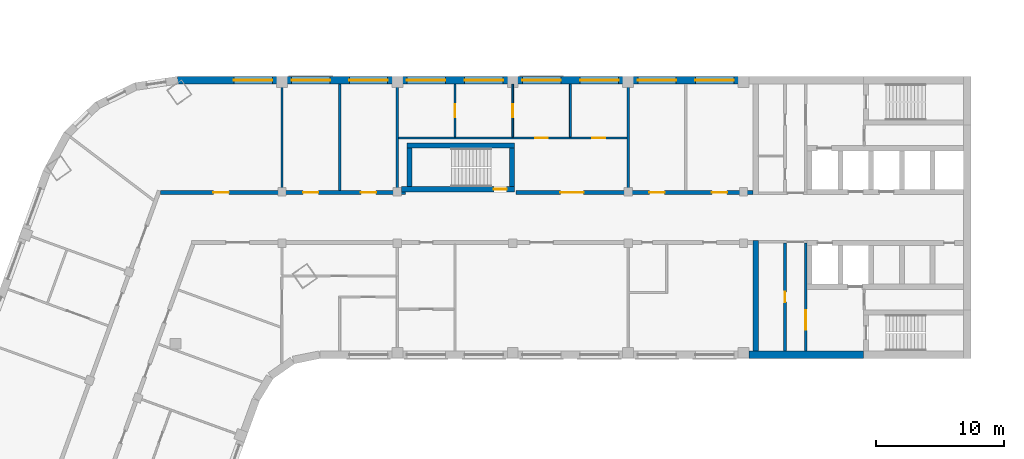
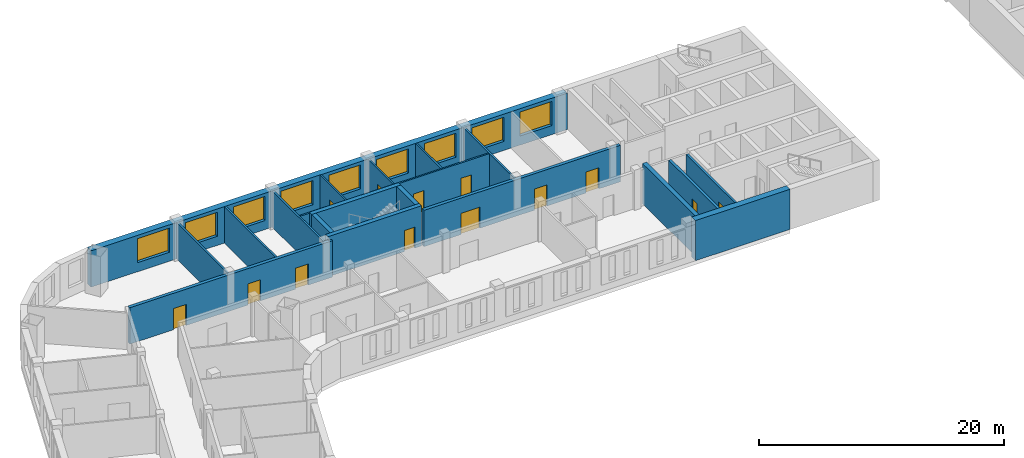
# One storey, part 5 of 10: 19 walls, 13 doors, 9 windows, 22 openings.
"""IFC4 building model written with IfcOpenShell, lengths in metres."""

from ifc_helpers import new_model, si_unit, direction, frame, frame_2d, origin, place, context, subcontext, project, spatial, rectangle, extrude, material, layer, layer_set, type_object, element, fill, save


model = new_model("IFC4")

# Units and contexts
model_context = context("Model", 3, precision=1e-05, world=origin(), true_north=direction((0.0, 1.0)))
body_context = subcontext(model_context, "Body", "Model", "MODEL_VIEW")
ifc_project = project(units=[si_unit("LENGTHUNIT", "METRE"), si_unit("AREAUNIT", "SQUARE_METRE"), si_unit("VOLUMEUNIT", "CUBIC_METRE"), si_unit("PLANEANGLEUNIT", "RADIAN"), si_unit("MASSUNIT", "GRAM", prefix="KILO")], contexts=[model_context])

# Site, building, storey
site_placement = place(None, origin())
site = spatial("IfcSite", under=ifc_project, at=site_placement, CompositionType="ELEMENT")
building_placement = place(site_placement, origin())
building = spatial("IfcBuilding", under=site, at=building_placement, Name="Skarvind Civic Tower", CompositionType="ELEMENT")
storey_placement = place(building_placement, frame((0.0, 0.0, 101.0)))
storey = spatial("IfcBuildingStorey", under=building, at=storey_placement, Name="L23", CompositionType="ELEMENT", Elevation=101.0)

# Walls
ifc_material_1 = material(Name="Acoustic gypsum board on steel studs", Category="steel")
ifc_layer_1 = layer(ifc_material_1, 0.175048828125)
ifc_layer_set_1 = layer_set([ifc_layer_1], Name="ACOUSTIC MEETING-ROOM PARTITION 175")
wall_type_1 = type_object("IfcWallType", Name="ACOUSTIC MEETING-ROOM PARTITION 175", PredefinedType="PARTITIONING", material=ifc_layer_set_1)
for number, where, z_axis, x_axis, name in (
    (1, (54.25, 138.39990234375, 0.0), (0.0, 0.0, 1.0), (0.0, -1.0, 0.0), "Partition 23.021"),
    (2, (58.75, 130.10009765625, 0.0), (0.0, 0.0, 1.0), (0.0, 1.0, 0.0), "Partition 23.023"),
    (3, (63.25, 130.10009765625, 0.0), (0.0, 0.0, 1.0), (0.0, 1.0, 0.0), "Partition 23.028"),
    (4, (81.25, 130.10009765625, 0.0), (0.0, 0.0, 1.0), (0.0, 1.0, 0.0), "Partition 23.036"),
):
    element("IfcWall", number, at=place(storey_placement, frame(where, z_axis=z_axis, x_axis=x_axis)), inside=storey, type_object=wall_type_1, Name=name, PredefinedType="PARTITIONING", context=body_context, shape_type="SweptSolid", body=[
        extrude(rectangle(XDim=8.2998046875, YDim=0.175048828125, at=frame_2d((4.14990234375, 0.0))), origin(), (0.0, 0.0, 1.0), 3.625),
    ])

# Wall, openings, doors
ifc_material_2 = material(Name="Fire-rated gypsum board on steel studs", Category="steel")
ifc_layer_2 = layer(ifc_material_2, 0.300048828125)
ifc_layer_set_2 = layer_set([ifc_layer_2], Name="CORRIDOR WALL 300")
wall_type_2 = type_object("IfcWallType", Name="CORRIDOR WALL 300", PredefinedType="PARTITIONING", material=ifc_layer_set_2)
wall_1_placement = place(storey_placement, frame((44.784912109375, 129.949951171875, 0.0), z_axis=(0.0, 0.0, 1.0), x_axis=(1.0, 0.0, 0.0)))
wall_1 = element("IfcWall", 5, at=wall_1_placement, inside=storey, type_object=wall_type_2, Name="Partition 23.015", PredefinedType="PARTITIONING", context=body_context, shape_type="SweptSolid", body=[
    extrude(rectangle(XDim=19.114990234375, YDim=0.300048828125, at=frame_2d((9.5576171875, 0.0))), origin(), (0.0, 0.0, 1.0), 3.625),
])
opening_1_placement = place(wall_1_placement, frame((15.614990234375, 0.0, 0.0)))
opening_1 = element("IfcOpeningElement", 6, at=opening_1_placement, cuts=wall_1, Name="Opening L23-D006", PredefinedType="OPENING", context=body_context, shape_type="SweptSolid", body=[
    extrude(rectangle(XDim=1.199951171875, YDim=2.10009765625, at=frame_2d((0.60009765625, 1.050048828125))), frame((0.0, 0.159912109375, 0.0), z_axis=(0.0, -1.0, 0.0), x_axis=(1.0, 0.0, 0.0)), (0.0, 0.0, 1.0), 0.320068359375),
])
opening_2_placement = place(wall_1_placement, frame((11.114990234375, 0.0, 0.0)))
opening_2 = element("IfcOpeningElement", 7, at=opening_2_placement, cuts=wall_1, Name="Opening L23-D007", PredefinedType="OPENING", context=body_context, shape_type="SweptSolid", body=[
    extrude(rectangle(XDim=1.199951171875, YDim=2.10009765625, at=frame_2d((0.60009765625, 1.050048828125))), frame((0.0, 0.159912109375, 0.0), z_axis=(0.0, -1.0, 0.0), x_axis=(1.0, 0.0, 0.0)), (0.0, 0.0, 1.0), 0.320068359375),
])
opening_3_placement = place(wall_1_placement, frame((4.12255859375, 0.0, 0.0)))
opening_3 = element("IfcOpeningElement", 8, at=opening_3_placement, cuts=wall_1, Name="Opening L23-D026", PredefinedType="OPENING", context=body_context, shape_type="SweptSolid", body=[
    extrude(rectangle(XDim=1.199951171875, YDim=2.10009765625, at=frame_2d((0.60009765625, 1.050048828125))), frame((0.0, 0.159912109375, 0.0), z_axis=(0.0, -1.0, 0.0), x_axis=(1.0, 0.0, 0.0)), (0.0, 0.0, 1.0), 0.320068359375),
])
ifc_material_3 = material(Name="Fire-rated timber door leaf", Category="wood")
door_type_1 = type_object("IfcDoorType", Name="FD6 1200x2100 DOUBLE", OperationType="NOTDEFINED", PredefinedType="DOOR", material=ifc_material_3)
door_1_placement = place(opening_1_placement, origin())
door_1 = element("IfcDoor", 9, at=door_1_placement, inside=storey, type_object=door_type_1, Name="Door L23-D006", OperationType="DOUBLE_DOOR_SINGLE_SWING", OverallHeight=2.10009765625, OverallWidth=1.199951171875, PredefinedType="DOOR", context=body_context, shape_type="SweptSolid", body=[
    extrude(rectangle(XDim=1.199951171875, YDim=2.10009765625, at=frame_2d((0.60009765625, 1.050048828125))), frame((0.0, 0.02490234375, 0.0), z_axis=(0.0, -1.0, 0.0), x_axis=(1.0, 0.0, 0.0)), (0.0, 0.0, 1.0), 0.050048828125),
])
fill(opening_1, door_1)
door_2_placement = place(opening_2_placement, origin())
door_2 = element("IfcDoor", 10, at=door_2_placement, inside=storey, type_object=door_type_1, Name="Door L23-D007", OperationType="DOUBLE_DOOR_SINGLE_SWING", OverallHeight=2.10009765625, OverallWidth=1.199951171875, PredefinedType="DOOR", context=body_context, shape_type="SweptSolid", body=[
    extrude(rectangle(XDim=1.199951171875, YDim=2.10009765625, at=frame_2d((0.60009765625, 1.050048828125))), frame((0.0, 0.02490234375, 0.0), z_axis=(0.0, -1.0, 0.0), x_axis=(1.0, 0.0, 0.0)), (0.0, 0.0, 1.0), 0.050048828125),
])
fill(opening_2, door_2)
door_3_placement = place(opening_3_placement, origin())
door_3 = element("IfcDoor", 11, at=door_3_placement, inside=storey, type_object=door_type_1, Name="Door L23-D026", OperationType="DOUBLE_DOOR_SINGLE_SWING", OverallHeight=2.10009765625, OverallWidth=1.199951171875, PredefinedType="DOOR", context=body_context, shape_type="SweptSolid", body=[
    extrude(rectangle(XDim=1.199951171875, YDim=2.10009765625, at=frame_2d((0.60009765625, 1.050048828125))), frame((0.0, 0.02490234375, 0.0), z_axis=(0.0, -1.0, 0.0), x_axis=(1.0, 0.0, 0.0)), (0.0, 0.0, 1.0), 0.050048828125),
])
fill(opening_3, door_3)

wall_2_placement = place(storey_placement, frame((72.5, 129.949951171875, 0.0), z_axis=(0.0, 0.0, 1.0), x_axis=(1.0, 0.0, 0.0)))
wall_2 = element("IfcWall", 12, at=wall_2_placement, inside=storey, type_object=wall_type_2, Name="Partition 23.033", PredefinedType="PARTITIONING", context=body_context, shape_type="SweptSolid", body=[
    extrude(rectangle(XDim=18.5, YDim=0.300048828125, at=frame_2d((9.25, 0.0))), origin(), (0.0, 0.0, 1.0), 3.625),
])
opening_4_placement = place(wall_2_placement, frame((15.27490234375, 0.0, 0.0)))
opening_4 = element("IfcOpeningElement", 13, at=opening_4_placement, cuts=wall_2, Name="Opening L23-D001", PredefinedType="OPENING", context=body_context, shape_type="SweptSolid", body=[
    extrude(rectangle(XDim=1.199951171875, YDim=2.10009765625, at=frame_2d((0.60009765625, 1.050048828125))), frame((0.0, 0.159912109375, 0.0), z_axis=(0.0, -1.0, 0.0), x_axis=(1.0, 0.0, 0.0)), (0.0, 0.0, 1.0), 0.320068359375),
])
opening_5_placement = place(wall_2_placement, frame((10.39990234375, 0.0, 0.0)))
opening_5 = element("IfcOpeningElement", 14, at=opening_5_placement, cuts=wall_2, Name="Opening L23-D002", PredefinedType="OPENING", context=body_context, shape_type="SweptSolid", body=[
    extrude(rectangle(XDim=1.199951171875, YDim=2.10009765625, at=frame_2d((0.60009765625, 1.050048828125))), frame((0.0, 0.159912109375, 0.0), z_axis=(0.0, -1.0, 0.0), x_axis=(1.0, 0.0, 0.0)), (0.0, 0.0, 1.0), 0.320068359375),
])
opening_6_placement = place(wall_2_placement, frame((3.47509765625, 0.0, 0.0)))
opening_6 = element("IfcOpeningElement", 15, at=opening_6_placement, cuts=wall_2, Name="Opening L23-D005", PredefinedType="OPENING", context=body_context, shape_type="SweptSolid", body=[
    extrude(rectangle(XDim=1.800048828125, YDim=2.10009765625, at=frame_2d((0.89990234375, 1.050048828125))), frame((0.0, 0.159912109375, 0.0), z_axis=(0.0, -1.0, 0.0), x_axis=(1.0, 0.0, 0.0)), (0.0, 0.0, 1.0), 0.320068359375),
])
door_type_2 = type_object("IfcDoorType", Name="FD4 1800x2100", OperationType="NOTDEFINED", PredefinedType="DOOR", material=ifc_material_3)
door_4_placement = place(opening_6_placement, origin())
door_4 = element("IfcDoor", 16, at=door_4_placement, inside=storey, type_object=door_type_2, Name="Door L23-D005", OperationType="DOUBLE_DOOR_SINGLE_SWING", OverallHeight=2.10009765625, OverallWidth=1.800048828125, PredefinedType="DOOR", context=body_context, shape_type="SweptSolid", body=[
    extrude(rectangle(XDim=1.800048828125, YDim=2.10009765625, at=frame_2d((0.89990234375, 1.050048828125))), frame((0.0, 0.02490234375, 0.0), z_axis=(0.0, -1.0, 0.0), x_axis=(1.0, 0.0, 0.0)), (0.0, 0.0, 1.0), 0.050048828125),
])
fill(opening_6, door_4)
door_5_placement = place(opening_4_placement, origin())
door_5 = element("IfcDoor", 17, at=door_5_placement, inside=storey, type_object=door_type_1, Name="Door L23-D001", OperationType="DOUBLE_DOOR_SINGLE_SWING", OverallHeight=2.10009765625, OverallWidth=1.199951171875, PredefinedType="DOOR", context=body_context, shape_type="SweptSolid", body=[
    extrude(rectangle(XDim=1.199951171875, YDim=2.10009765625, at=frame_2d((0.60009765625, 1.050048828125))), frame((0.0, 0.02490234375, 0.0), z_axis=(0.0, -1.0, 0.0), x_axis=(1.0, 0.0, 0.0)), (0.0, 0.0, 1.0), 0.050048828125),
])
fill(opening_4, door_5)
door_6_placement = place(opening_5_placement, origin())
door_6 = element("IfcDoor", 18, at=door_6_placement, inside=storey, type_object=door_type_1, Name="Door L23-D002", OperationType="DOUBLE_DOOR_SINGLE_SWING", OverallHeight=2.10009765625, OverallWidth=1.199951171875, PredefinedType="DOOR", context=body_context, shape_type="SweptSolid", body=[
    extrude(rectangle(XDim=1.199951171875, YDim=2.10009765625, at=frame_2d((0.60009765625, 1.050048828125))), frame((0.0, 0.02490234375, 0.0), z_axis=(0.0, -1.0, 0.0), x_axis=(1.0, 0.0, 0.0)), (0.0, 0.0, 1.0), 0.050048828125),
])
fill(opening_5, door_6)

# Wall, opening, door
ifc_material_4 = material(Name="Fire-rated masonry partition", Category="masonry")
ifc_layer_3 = layer(ifc_material_4, 0.199951171875)
ifc_layer_set_3 = layer_set([ifc_layer_3], Name="Core enclosure wall 200")
wall_type_3 = type_object("IfcWallType", Name="Core enclosure wall 200", PredefinedType="PARTITIONING", material=ifc_layer_set_3)
wall_3_placement = place(storey_placement, frame((95.10009765625, 117.60009765625, 0.0), z_axis=(0.0, 0.0, 1.0), x_axis=(0.0, 1.0, 0.0)))
wall_3 = element("IfcWall", 19, at=wall_3_placement, inside=storey, type_object=wall_type_3, Name="Core wall C1", PredefinedType="PARTITIONING", context=body_context, shape_type="SweptSolid", body=[
    extrude(rectangle(XDim=8.39990234375, YDim=0.199951171875, at=frame_2d((4.199951171875, 0.0))), origin(), (0.0, 0.0, 1.0), 3.625),
])
opening_7_placement = place(wall_3_placement, frame((1.64990234375, 0.0, 0.0)))
opening_7 = element("IfcOpeningElement", 20, at=opening_7_placement, cuts=wall_3, Name="Opening D-L23-C1-06", PredefinedType="OPENING", context=body_context, shape_type="SweptSolid", body=[
    extrude(rectangle(XDim=1.5, YDim=2.10009765625, at=frame_2d((0.75, 1.050048828125))), frame((0.0, 0.10986328125, 0.0), z_axis=(0.0, -1.0, 0.0), x_axis=(1.0, 0.0, 0.0)), (0.0, 0.0, 1.0), 0.219970703125),
])
ifc_material_5 = material(Name="Fire-rated steel door", Category="steel")
door_type_3 = type_object("IfcDoorType", Name="Fire door 1500", OperationType="NOTDEFINED", PredefinedType="DOOR", material=ifc_material_5)
door_7_placement = place(opening_7_placement, origin())
door_7 = element("IfcDoor", 21, at=door_7_placement, inside=storey, type_object=door_type_3, Name="Fire door", OperationType="DOUBLE_DOOR_SINGLE_SWING", OverallHeight=2.10009765625, OverallWidth=1.5, PredefinedType="DOOR", context=body_context, shape_type="SweptSolid", body=[
    extrude(rectangle(XDim=1.5, YDim=2.10009765625, at=frame_2d((0.75, 1.050048828125))), frame((0.0, 0.02490234375, 0.0), z_axis=(0.0, -1.0, 0.0), x_axis=(1.0, 0.0, 0.0)), (0.0, 0.0, 1.0), 0.050048828125),
])
fill(opening_7, door_7)

# Wall
ifc_material_6 = material(Name="Concrete C80", Category="concrete")
ifc_layer_4 = layer(ifc_material_6, 0.39990234375)
ifc_layer_set_4 = layer_set([ifc_layer_4], Name="Core wall 400 C80")
wall_type_4 = type_object("IfcWallType", Name="Core wall 400 C80", PredefinedType="SHEAR", material=ifc_layer_set_4)
wall_4_placement = place(storey_placement, frame((91.199951171875, 126.199951171875, 0.0), z_axis=(0.0, 0.0, 1.0), x_axis=(0.0, -1.0, 0.0)))
element("IfcWall", 22, at=wall_4_placement, inside=storey, type_object=wall_type_4, Name="Core wall C1 north inner face L23", PredefinedType="SHEAR", context=body_context, shape_type="SweptSolid", body=[
    extrude(rectangle(XDim=8.599853515625, YDim=0.39990234375, at=frame_2d((4.2998046875, 0.0))), origin(), (0.0, 0.0, 1.0), 4.0),
])

# Wall, opening, door
wall_5_placement = place(storey_placement, frame((63.574951171875, 130.199951171875, 0.0), z_axis=(0.0, 0.0, 1.0), x_axis=(1.0, 0.0, 0.0)))
wall_5 = element("IfcWall", 23, at=wall_5_placement, inside=storey, type_object=wall_type_4, Name="Core wall CM inner L23", PredefinedType="SHEAR", context=body_context, shape_type="SweptSolid", body=[
    extrude(rectangle(XDim=8.824951171875, YDim=0.39990234375, at=frame_2d((4.41259765625, 0.0))), origin(), (0.0, 0.0, 1.0), 4.0),
])
opening_8_placement = place(wall_5_placement, frame((7.199951171875, 0.0, 0.0)))
opening_8 = element("IfcOpeningElement", 24, at=opening_8_placement, cuts=wall_5, Name="Opening D-L23-CM-01", PredefinedType="OPENING", context=body_context, shape_type="SweptSolid", body=[
    extrude(rectangle(XDim=1.0, YDim=2.10009765625, at=frame_2d((0.5, 1.050048828125))), frame((0.0, 0.2099609375, 0.0), z_axis=(0.0, -1.0, 0.0), x_axis=(1.0, 0.0, 0.0)), (0.0, 0.0, 1.0), 0.419921875),
])
door_type_4 = type_object("IfcDoorType", Name="Fire door 1000", OperationType="NOTDEFINED", PredefinedType="DOOR", material=ifc_material_5)
door_8_placement = place(opening_8_placement, origin())
door_8 = element("IfcDoor", 25, at=door_8_placement, inside=storey, type_object=door_type_4, Name="Fire door", OperationType="SINGLE_SWING_LEFT", OverallHeight=2.10009765625, OverallWidth=1.0, PredefinedType="DOOR", context=body_context, shape_type="SweptSolid", body=[
    extrude(rectangle(XDim=1.0, YDim=2.10009765625, at=frame_2d((0.5, 1.050048828125))), frame((0.0, 0.02490234375, 0.0), z_axis=(0.0, -1.0, 0.0), x_axis=(1.0, 0.0, 0.0)), (0.0, 0.0, 1.0), 0.050048828125),
])
fill(opening_8, door_8)

# Walls
wall_6_placement = place(storey_placement, frame((64.0, 133.60009765625, 0.0), z_axis=(0.0, 0.0, 1.0), x_axis=(1.0, 0.0, 0.0)))
element("IfcWall", 26, at=wall_6_placement, inside=storey, type_object=wall_type_4, Name="Core wall CM outer L23", PredefinedType="SHEAR", context=body_context, shape_type="SweptSolid", body=[
    extrude(rectangle(XDim=8.39990234375, YDim=0.39990234375, at=frame_2d((4.199951171875, 0.0))), origin(), (0.0, 0.0, 1.0), 4.0),
])
for number, where, z_axis, x_axis, name in (
    (27, (64.199951171875, 130.39990234375, 0.0), (0.0, 0.0, 1.0), (0.0, 1.0, 0.0), "Core wall CM west L23"),
    (28, (72.199951171875, 130.39990234375, 0.0), (0.0, 0.0, 1.0), (0.0, 1.0, 0.0), "Core wall CM end L23"),
):
    element("IfcWall", number, at=place(storey_placement, frame(where, z_axis=z_axis, x_axis=x_axis)), inside=storey, type_object=wall_type_4, Name=name, PredefinedType="SHEAR", context=body_context, shape_type="SweptSolid", body=[
        extrude(rectangle(XDim=3.0, YDim=0.39990234375, at=frame_2d((1.5, 0.0))), origin(), (0.0, 0.0, 1.0), 4.0),
    ])
ifc_layer_5 = layer(ifc_material_6, 0.60009765625)
ifc_layer_set_5 = layer_set([ifc_layer_5], Name="Core wall 600 C80")
wall_type_5 = type_object("IfcWallType", Name="Core wall 600 C80", PredefinedType="SHEAR", material=ifc_layer_set_5)
wall_7_placement = place(storey_placement, frame((99.60009765625, 117.300048828125, 0.0), z_axis=(0.0, 0.0, 1.0), x_axis=(-1.0, 0.0, 0.0)))
element("IfcWall", 29, at=wall_7_placement, inside=storey, type_object=wall_type_5, Name="Core wall C1 north side L23", PredefinedType="SHEAR", context=body_context, shape_type="SweptSolid", body=[
    extrude(rectangle(XDim=8.925048828125, YDim=0.60009765625, at=frame_2d((4.46240234375, 0.0))), origin(), (0.0, 0.0, 1.0), 4.0),
])

# Wall, openings, doors
ifc_material_7 = material(Name="Plasterboard partition on steel studs", Category="steel")
ifc_layer_6 = layer(ifc_material_7, 0.14990234375)
ifc_layer_set_6 = layer_set([ifc_layer_6], Name="PARTITION 150")
wall_type_6 = type_object("IfcWallType", Name="PARTITION 150", PredefinedType="PARTITIONING", material=ifc_layer_set_6)
wall_8_placement = place(storey_placement, frame((81.162109375, 134.199951171875, 0.0), z_axis=(0.0, 0.0, 1.0), x_axis=(-1.0, 0.0, 0.0)))
wall_8 = element("IfcWall", 30, at=wall_8_placement, inside=storey, type_object=wall_type_6, Name="Partition 23.029", PredefinedType="PARTITIONING", context=body_context, shape_type="SweptSolid", body=[
    extrude(rectangle(XDim=17.82421875, YDim=0.14990234375, at=frame_2d((8.912109375, 0.0))), origin(), (0.0, 0.0, 1.0), 3.625),
])
opening_9_placement = place(wall_8_placement, frame((1.696044921875, 0.0, 0.0)))
opening_9 = element("IfcOpeningElement", 31, at=opening_9_placement, cuts=wall_8, Name="Opening L23-D003", PredefinedType="OPENING", context=body_context, shape_type="SweptSolid", body=[
    extrude(rectangle(XDim=1.0, YDim=2.10009765625, at=frame_2d((0.5, 1.050048828125))), frame((0.0, 0.0849609375, 0.0), z_axis=(0.0, -1.0, 0.0), x_axis=(1.0, 0.0, 0.0)), (0.0, 0.0, 1.0), 0.169921875),
])
opening_10_placement = place(wall_8_placement, frame((6.162109375, 0.0, 0.0)))
opening_10 = element("IfcOpeningElement", 32, at=opening_10_placement, cuts=wall_8, Name="Opening L23-D004", PredefinedType="OPENING", context=body_context, shape_type="SweptSolid", body=[
    extrude(rectangle(XDim=1.0, YDim=2.10009765625, at=frame_2d((0.5, 1.050048828125))), frame((0.0, 0.0849609375, 0.0), z_axis=(0.0, -1.0, 0.0), x_axis=(1.0, 0.0, 0.0)), (0.0, 0.0, 1.0), 0.169921875),
])
ifc_material_8 = material(Name="Timber door leaf", Category="wood")
door_type_5 = type_object("IfcDoorType", Name="D1 1000x2100", OperationType="NOTDEFINED", PredefinedType="DOOR", material=ifc_material_8)
door_9_placement = place(opening_9_placement, origin())
door_9 = element("IfcDoor", 33, at=door_9_placement, inside=storey, type_object=door_type_5, Name="Door L23-D003", OperationType="SINGLE_SWING_LEFT", OverallHeight=2.10009765625, OverallWidth=1.0, PredefinedType="DOOR", context=body_context, shape_type="SweptSolid", body=[
    extrude(rectangle(XDim=1.0, YDim=2.10009765625, at=frame_2d((0.5, 1.050048828125))), frame((0.0, 0.02490234375, 0.0), z_axis=(0.0, -1.0, 0.0), x_axis=(1.0, 0.0, 0.0)), (0.0, 0.0, 1.0), 0.050048828125),
])
fill(opening_9, door_9)
door_10_placement = place(opening_10_placement, origin())
door_10 = element("IfcDoor", 34, at=door_10_placement, inside=storey, type_object=door_type_5, Name="Door L23-D004", OperationType="SINGLE_SWING_RIGHT", OverallHeight=2.10009765625, OverallWidth=1.0, PredefinedType="DOOR", context=body_context, shape_type="SweptSolid", body=[
    extrude(rectangle(XDim=1.0, YDim=2.10009765625, at=frame_2d((0.5, 1.050048828125))), frame((0.0, 0.02490234375, 0.0), z_axis=(0.0, -1.0, 0.0), x_axis=(1.0, 0.0, 0.0)), (0.0, 0.0, 1.0), 0.050048828125),
])
fill(opening_10, door_10)

# Wall, opening, door
wall_9_placement = place(storey_placement, frame((67.75, 134.27490234375, 0.0), z_axis=(0.0, 0.0, 1.0), x_axis=(0.0, 1.0, 0.0)))
wall_9 = element("IfcWall", 35, at=wall_9_placement, inside=storey, type_object=wall_type_6, Name="Partition 23.031", PredefinedType="PARTITIONING", context=body_context, shape_type="SweptSolid", body=[
    extrude(rectangle(XDim=4.125, YDim=0.14990234375, at=frame_2d((2.0625, 0.0))), origin(), (0.0, 0.0, 1.0), 3.625),
])
opening_11_placement = place(wall_9_placement, frame((1.552490234375, 0.0, 0.0)))
opening_11 = element("IfcOpeningElement", 36, at=opening_11_placement, cuts=wall_9, Name="Opening L23-D031", PredefinedType="OPENING", context=body_context, shape_type="SweptSolid", body=[
    extrude(rectangle(XDim=1.0, YDim=2.10009765625, at=frame_2d((0.5, 1.050048828125))), frame((0.0, 0.0849609375, 0.0), z_axis=(0.0, -1.0, 0.0), x_axis=(1.0, 0.0, 0.0)), (0.0, 0.0, 1.0), 0.169921875),
])
door_11_placement = place(opening_11_placement, origin())
door_11 = element("IfcDoor", 37, at=door_11_placement, inside=storey, type_object=door_type_5, Name="Door L23-D031", OperationType="SINGLE_SWING_LEFT", OverallHeight=2.10009765625, OverallWidth=1.0, PredefinedType="DOOR", context=body_context, shape_type="SweptSolid", body=[
    extrude(rectangle(XDim=1.0, YDim=2.10009765625, at=frame_2d((0.5, 1.050048828125))), frame((0.0, 0.02490234375, 0.0), z_axis=(0.0, -1.0, 0.0), x_axis=(1.0, 0.0, 0.0)), (0.0, 0.0, 1.0), 0.050048828125),
])
fill(opening_11, door_11)

wall_10_placement = place(storey_placement, frame((72.25, 134.27490234375, 0.0), z_axis=(0.0, 0.0, 1.0), x_axis=(0.0, 1.0, 0.0)))
wall_10 = element("IfcWall", 38, at=wall_10_placement, inside=storey, type_object=wall_type_6, Name="Partition 23.032", PredefinedType="PARTITIONING", context=body_context, shape_type="SweptSolid", body=[
    extrude(rectangle(XDim=4.125, YDim=0.14990234375, at=frame_2d((2.0625, 0.0))), origin(), (0.0, 0.0, 1.0), 3.625),
])
opening_12_placement = place(wall_10_placement, frame((1.552490234375, 0.0, 0.0)))
opening_12 = element("IfcOpeningElement", 39, at=opening_12_placement, cuts=wall_10, Name="Opening L23-D030", PredefinedType="OPENING", context=body_context, shape_type="SweptSolid", body=[
    extrude(rectangle(XDim=1.0, YDim=2.10009765625, at=frame_2d((0.5, 1.050048828125))), frame((0.0, 0.0849609375, 0.0), z_axis=(0.0, -1.0, 0.0), x_axis=(1.0, 0.0, 0.0)), (0.0, 0.0, 1.0), 0.169921875),
])
door_12_placement = place(opening_12_placement, origin())
door_12 = element("IfcDoor", 40, at=door_12_placement, inside=storey, type_object=door_type_5, Name="Door L23-D030", OperationType="SINGLE_SWING_LEFT", OverallHeight=2.10009765625, OverallWidth=1.0, PredefinedType="DOOR", context=body_context, shape_type="SweptSolid", body=[
    extrude(rectangle(XDim=1.0, YDim=2.10009765625, at=frame_2d((0.5, 1.050048828125))), frame((0.0, 0.02490234375, 0.0), z_axis=(0.0, -1.0, 0.0), x_axis=(1.0, 0.0, 0.0)), (0.0, 0.0, 1.0), 0.050048828125),
])
fill(opening_12, door_12)

# Wall
wall_11_placement = place(storey_placement, frame((76.75, 134.27490234375, 0.0), z_axis=(0.0, 0.0, 1.0), x_axis=(0.0, 1.0, 0.0)))
element("IfcWall", 41, at=wall_11_placement, inside=storey, type_object=wall_type_6, Name="Partition 23.034", PredefinedType="PARTITIONING", context=body_context, shape_type="SweptSolid", body=[
    extrude(rectangle(XDim=4.125, YDim=0.14990234375, at=frame_2d((2.0625, 0.0))), origin(), (0.0, 0.0, 1.0), 3.625),
])

# Wall, opening, door
ifc_layer_7 = layer(ifc_material_4, 0.25)
ifc_layer_set_7 = layer_set([ifc_layer_7], Name="Service block wall 250")
wall_type_7 = type_object("IfcWallType", Name="Service block wall 250", PredefinedType="PARTITIONING", material=ifc_layer_set_7)
wall_12_placement = place(storey_placement, frame((93.47509765625, 117.60009765625, 0.0), z_axis=(0.0, 0.0, 1.0), x_axis=(0.0, 1.0, 0.0)))
wall_12 = element("IfcWall", 42, at=wall_12_placement, inside=storey, type_object=wall_type_7, Name="Core wall C1", PredefinedType="PARTITIONING", context=body_context, shape_type="SweptSolid", body=[
    extrude(rectangle(XDim=8.39990234375, YDim=0.25, at=frame_2d((4.199951171875, 0.0))), origin(), (0.0, 0.0, 1.0), 3.625),
])
opening_13_placement = place(wall_12_placement, frame((3.800048828125, 0.0, 0.0)))
opening_13 = element("IfcOpeningElement", 43, at=opening_13_placement, cuts=wall_12, Name="Opening D-L23-C1-09", PredefinedType="OPENING", context=body_context, shape_type="SweptSolid", body=[
    extrude(rectangle(XDim=0.800048828125, YDim=2.10009765625, at=frame_2d((0.39990234375, 1.050048828125))), frame((0.0, 0.135009765625, 0.0), z_axis=(0.0, -1.0, 0.0), x_axis=(1.0, 0.0, 0.0)), (0.0, 0.0, 1.0), 0.27001953125),
])
door_type_6 = type_object("IfcDoorType", Name="Core riser door 800", OperationType="NOTDEFINED", PredefinedType="DOOR", material=ifc_material_5)
door_13_placement = place(opening_13_placement, origin())
door_13 = element("IfcDoor", 44, at=door_13_placement, inside=storey, type_object=door_type_6, Name="Riser door", OperationType="SINGLE_SWING_LEFT", OverallHeight=2.10009765625, OverallWidth=0.800048828125, PredefinedType="DOOR", context=body_context, shape_type="SweptSolid", body=[
    extrude(rectangle(XDim=0.800048828125, YDim=2.10009765625, at=frame_2d((0.39990234375, 1.050048828125))), frame((0.0, 0.02490234375, 0.0), z_axis=(0.0, -1.0, 0.0), x_axis=(1.0, 0.0, 0.0)), (0.0, 0.0, 1.0), 0.050048828125),
])
fill(opening_13, door_13)

# Wall, openings, windows
ifc_material_9 = material(Name="Limestone masonry cladding on insulated backing", Category="masonry")
ifc_layer_8 = layer(ifc_material_9, 0.60009765625)
ifc_layer_set_8 = layer_set([ifc_layer_8], Name="WX1 STONE FACADE WALL 600")
wall_type_8 = type_object("IfcWallType", Name="WX1 STONE FACADE WALL 600", PredefinedType="SOLIDWALL", material=ifc_layer_set_8)
wall_13_placement = place(storey_placement, frame((46.095458984375, 138.699951171875, 0.0), z_axis=(0.0, 0.0, 1.0), x_axis=(1.0, 0.0, 0.0)))
wall_13 = element("IfcWall", 45, at=wall_13_placement, inside=storey, type_object=wall_type_8, Name="STONE FACADE WALL", PredefinedType="SOLIDWALL", context=body_context, shape_type="SweptSolid", body=[
    extrude(rectangle(XDim=44.884521484375, YDim=0.60009765625, at=frame_2d((22.4423828125, 0.0))), origin(), (0.0, 0.0, 1.0), 3.625),
])
opening_14_placement = place(wall_13_placement, frame((4.404541015625, 0.0, 0.89990234375)))
opening_14 = element("IfcOpeningElement", 46, at=opening_14_placement, cuts=wall_13, Name="Opening WN1", PredefinedType="OPENING", context=body_context, shape_type="SweptSolid", body=[
    extrude(rectangle(XDim=3.0, YDim=2.39990234375, at=frame_2d((1.5, 1.199951171875))), frame((0.0, 0.31005859375, 0.0), z_axis=(0.0, -1.0, 0.0), x_axis=(1.0, 0.0, 0.0)), (0.0, 0.0, 1.0), 0.6201171875),
])
opening_15_placement = place(wall_13_placement, frame((8.904541015625, 0.0, 0.89990234375)))
opening_15 = element("IfcOpeningElement", 47, at=opening_15_placement, cuts=wall_13, Name="Opening WN1", PredefinedType="OPENING", context=body_context, shape_type="SweptSolid", body=[
    extrude(rectangle(XDim=3.0, YDim=2.39990234375, at=frame_2d((1.5, 1.199951171875))), frame((0.0, 0.31005859375, 0.0), z_axis=(0.0, -1.0, 0.0), x_axis=(1.0, 0.0, 0.0)), (0.0, 0.0, 1.0), 0.6201171875),
])
opening_16_placement = place(wall_13_placement, frame((13.404541015625, 0.0, 0.89990234375)))
opening_16 = element("IfcOpeningElement", 48, at=opening_16_placement, cuts=wall_13, Name="Opening WN1", PredefinedType="OPENING", context=body_context, shape_type="SweptSolid", body=[
    extrude(rectangle(XDim=3.0, YDim=2.39990234375, at=frame_2d((1.5, 1.199951171875))), frame((0.0, 0.31005859375, 0.0), z_axis=(0.0, -1.0, 0.0), x_axis=(1.0, 0.0, 0.0)), (0.0, 0.0, 1.0), 0.6201171875),
])
opening_17_placement = place(wall_13_placement, frame((17.904541015625, 0.0, 0.89990234375)))
opening_17 = element("IfcOpeningElement", 49, at=opening_17_placement, cuts=wall_13, Name="Opening WN1", PredefinedType="OPENING", context=body_context, shape_type="SweptSolid", body=[
    extrude(rectangle(XDim=3.0, YDim=2.39990234375, at=frame_2d((1.5, 1.199951171875))), frame((0.0, 0.31005859375, 0.0), z_axis=(0.0, -1.0, 0.0), x_axis=(1.0, 0.0, 0.0)), (0.0, 0.0, 1.0), 0.6201171875),
])
opening_18_placement = place(wall_13_placement, frame((22.404541015625, 0.0, 0.89990234375)))
opening_18 = element("IfcOpeningElement", 50, at=opening_18_placement, cuts=wall_13, Name="Opening WN1", PredefinedType="OPENING", context=body_context, shape_type="SweptSolid", body=[
    extrude(rectangle(XDim=3.0, YDim=2.39990234375, at=frame_2d((1.5, 1.199951171875))), frame((0.0, 0.31005859375, 0.0), z_axis=(0.0, -1.0, 0.0), x_axis=(1.0, 0.0, 0.0)), (0.0, 0.0, 1.0), 0.6201171875),
])
opening_19_placement = place(wall_13_placement, frame((26.904541015625, 0.0, 0.89990234375)))
opening_19 = element("IfcOpeningElement", 51, at=opening_19_placement, cuts=wall_13, Name="Opening WN1", PredefinedType="OPENING", context=body_context, shape_type="SweptSolid", body=[
    extrude(rectangle(XDim=3.0, YDim=2.39990234375, at=frame_2d((1.5, 1.199951171875))), frame((0.0, 0.31005859375, 0.0), z_axis=(0.0, -1.0, 0.0), x_axis=(1.0, 0.0, 0.0)), (0.0, 0.0, 1.0), 0.6201171875),
])
opening_20_placement = place(wall_13_placement, frame((31.404541015625, 0.0, 0.89990234375)))
opening_20 = element("IfcOpeningElement", 52, at=opening_20_placement, cuts=wall_13, Name="Opening WN1", PredefinedType="OPENING", context=body_context, shape_type="SweptSolid", body=[
    extrude(rectangle(XDim=3.0, YDim=2.39990234375, at=frame_2d((1.5, 1.199951171875))), frame((0.0, 0.31005859375, 0.0), z_axis=(0.0, -1.0, 0.0), x_axis=(1.0, 0.0, 0.0)), (0.0, 0.0, 1.0), 0.6201171875),
])
opening_21_placement = place(wall_13_placement, frame((35.904541015625, 0.0, 0.89990234375)))
opening_21 = element("IfcOpeningElement", 53, at=opening_21_placement, cuts=wall_13, Name="Opening WN1", PredefinedType="OPENING", context=body_context, shape_type="SweptSolid", body=[
    extrude(rectangle(XDim=3.0, YDim=2.39990234375, at=frame_2d((1.5, 1.199951171875))), frame((0.0, 0.31005859375, 0.0), z_axis=(0.0, -1.0, 0.0), x_axis=(1.0, 0.0, 0.0)), (0.0, 0.0, 1.0), 0.6201171875),
])
opening_22_placement = place(wall_13_placement, frame((40.404541015625, 0.0, 0.89990234375)))
opening_22 = element("IfcOpeningElement", 54, at=opening_22_placement, cuts=wall_13, Name="Opening WN1", PredefinedType="OPENING", context=body_context, shape_type="SweptSolid", body=[
    extrude(rectangle(XDim=3.0, YDim=2.39990234375, at=frame_2d((1.5, 1.199951171875))), frame((0.0, 0.31005859375, 0.0), z_axis=(0.0, -1.0, 0.0), x_axis=(1.0, 0.0, 0.0)), (0.0, 0.0, 1.0), 0.6201171875),
])
ifc_material_10 = material(Name="Timber frame, double glazing, timber-lined reveal", Category="wood")
window_type = type_object("IfcWindowType", Name="WN1 PUNCHED STONE WINDOW 3000 x 2400", PartitioningType="SINGLE_PANEL", PredefinedType="WINDOW", material=ifc_material_10)
window_1_placement = place(opening_14_placement, origin())
window_1 = element("IfcWindow", 55, at=window_1_placement, inside=storey, type_object=window_type, Name="WN1 WINDOW", OverallHeight=2.39990234375, OverallWidth=3.0, PartitioningType="SINGLE_PANEL", PredefinedType="WINDOW", context=body_context, shape_type="SweptSolid", body=[
    extrude(rectangle(XDim=3.0, YDim=2.39990234375, at=frame_2d((1.5, 1.199951171875))), frame((0.0, 0.030029296875, 0.0), z_axis=(0.0, -1.0, 0.0), x_axis=(1.0, 0.0, 0.0)), (0.0, 0.0, 1.0), 0.06005859375),
])
fill(opening_14, window_1)
window_2_placement = place(opening_15_placement, origin())
window_2 = element("IfcWindow", 56, at=window_2_placement, inside=storey, type_object=window_type, Name="WN1 WINDOW", OverallHeight=2.39990234375, OverallWidth=3.0, PartitioningType="SINGLE_PANEL", PredefinedType="WINDOW", context=body_context, shape_type="SweptSolid", body=[
    extrude(rectangle(XDim=3.0, YDim=2.39990234375, at=frame_2d((1.5, 1.199951171875))), frame((0.0, 0.030029296875, 0.0), z_axis=(0.0, -1.0, 0.0), x_axis=(1.0, 0.0, 0.0)), (0.0, 0.0, 1.0), 0.06005859375),
])
fill(opening_15, window_2)
window_3_placement = place(opening_16_placement, origin())
window_3 = element("IfcWindow", 57, at=window_3_placement, inside=storey, type_object=window_type, Name="WN1 WINDOW", OverallHeight=2.39990234375, OverallWidth=3.0, PartitioningType="SINGLE_PANEL", PredefinedType="WINDOW", context=body_context, shape_type="SweptSolid", body=[
    extrude(rectangle(XDim=3.0, YDim=2.39990234375, at=frame_2d((1.5, 1.199951171875))), frame((0.0, 0.030029296875, 0.0), z_axis=(0.0, -1.0, 0.0), x_axis=(1.0, 0.0, 0.0)), (0.0, 0.0, 1.0), 0.06005859375),
])
fill(opening_16, window_3)
window_4_placement = place(opening_17_placement, origin())
window_4 = element("IfcWindow", 58, at=window_4_placement, inside=storey, type_object=window_type, Name="WN1 WINDOW", OverallHeight=2.39990234375, OverallWidth=3.0, PartitioningType="SINGLE_PANEL", PredefinedType="WINDOW", context=body_context, shape_type="SweptSolid", body=[
    extrude(rectangle(XDim=3.0, YDim=2.39990234375, at=frame_2d((1.5, 1.199951171875))), frame((0.0, 0.030029296875, 0.0), z_axis=(0.0, -1.0, 0.0), x_axis=(1.0, 0.0, 0.0)), (0.0, 0.0, 1.0), 0.06005859375),
])
fill(opening_17, window_4)
window_5_placement = place(opening_18_placement, origin())
window_5 = element("IfcWindow", 59, at=window_5_placement, inside=storey, type_object=window_type, Name="WN1 WINDOW", OverallHeight=2.39990234375, OverallWidth=3.0, PartitioningType="SINGLE_PANEL", PredefinedType="WINDOW", context=body_context, shape_type="SweptSolid", body=[
    extrude(rectangle(XDim=3.0, YDim=2.39990234375, at=frame_2d((1.5, 1.199951171875))), frame((0.0, 0.030029296875, 0.0), z_axis=(0.0, -1.0, 0.0), x_axis=(1.0, 0.0, 0.0)), (0.0, 0.0, 1.0), 0.06005859375),
])
fill(opening_18, window_5)
window_6_placement = place(opening_19_placement, origin())
window_6 = element("IfcWindow", 60, at=window_6_placement, inside=storey, type_object=window_type, Name="WN1 WINDOW", OverallHeight=2.39990234375, OverallWidth=3.0, PartitioningType="SINGLE_PANEL", PredefinedType="WINDOW", context=body_context, shape_type="SweptSolid", body=[
    extrude(rectangle(XDim=3.0, YDim=2.39990234375, at=frame_2d((1.5, 1.199951171875))), frame((0.0, 0.030029296875, 0.0), z_axis=(0.0, -1.0, 0.0), x_axis=(1.0, 0.0, 0.0)), (0.0, 0.0, 1.0), 0.06005859375),
])
fill(opening_19, window_6)
window_7_placement = place(opening_20_placement, origin())
window_7 = element("IfcWindow", 61, at=window_7_placement, inside=storey, type_object=window_type, Name="WN1 WINDOW", OverallHeight=2.39990234375, OverallWidth=3.0, PartitioningType="SINGLE_PANEL", PredefinedType="WINDOW", context=body_context, shape_type="SweptSolid", body=[
    extrude(rectangle(XDim=3.0, YDim=2.39990234375, at=frame_2d((1.5, 1.199951171875))), frame((0.0, 0.030029296875, 0.0), z_axis=(0.0, -1.0, 0.0), x_axis=(1.0, 0.0, 0.0)), (0.0, 0.0, 1.0), 0.06005859375),
])
fill(opening_20, window_7)
window_8_placement = place(opening_21_placement, origin())
window_8 = element("IfcWindow", 62, at=window_8_placement, inside=storey, type_object=window_type, Name="WN1 WINDOW", OverallHeight=2.39990234375, OverallWidth=3.0, PartitioningType="SINGLE_PANEL", PredefinedType="WINDOW", context=body_context, shape_type="SweptSolid", body=[
    extrude(rectangle(XDim=3.0, YDim=2.39990234375, at=frame_2d((1.5, 1.199951171875))), frame((0.0, 0.030029296875, 0.0), z_axis=(0.0, -1.0, 0.0), x_axis=(1.0, 0.0, 0.0)), (0.0, 0.0, 1.0), 0.06005859375),
])
fill(opening_21, window_8)
window_9_placement = place(opening_22_placement, origin())
window_9 = element("IfcWindow", 63, at=window_9_placement, inside=storey, type_object=window_type, Name="WN1 WINDOW", OverallHeight=2.39990234375, OverallWidth=3.0, PartitioningType="SINGLE_PANEL", PredefinedType="WINDOW", context=body_context, shape_type="SweptSolid", body=[
    extrude(rectangle(XDim=3.0, YDim=2.39990234375, at=frame_2d((1.5, 1.199951171875))), frame((0.0, 0.030029296875, 0.0), z_axis=(0.0, -1.0, 0.0), x_axis=(1.0, 0.0, 0.0)), (0.0, 0.0, 1.0), 0.06005859375),
])
fill(opening_22, window_9)

save(model, "model.ifc")
